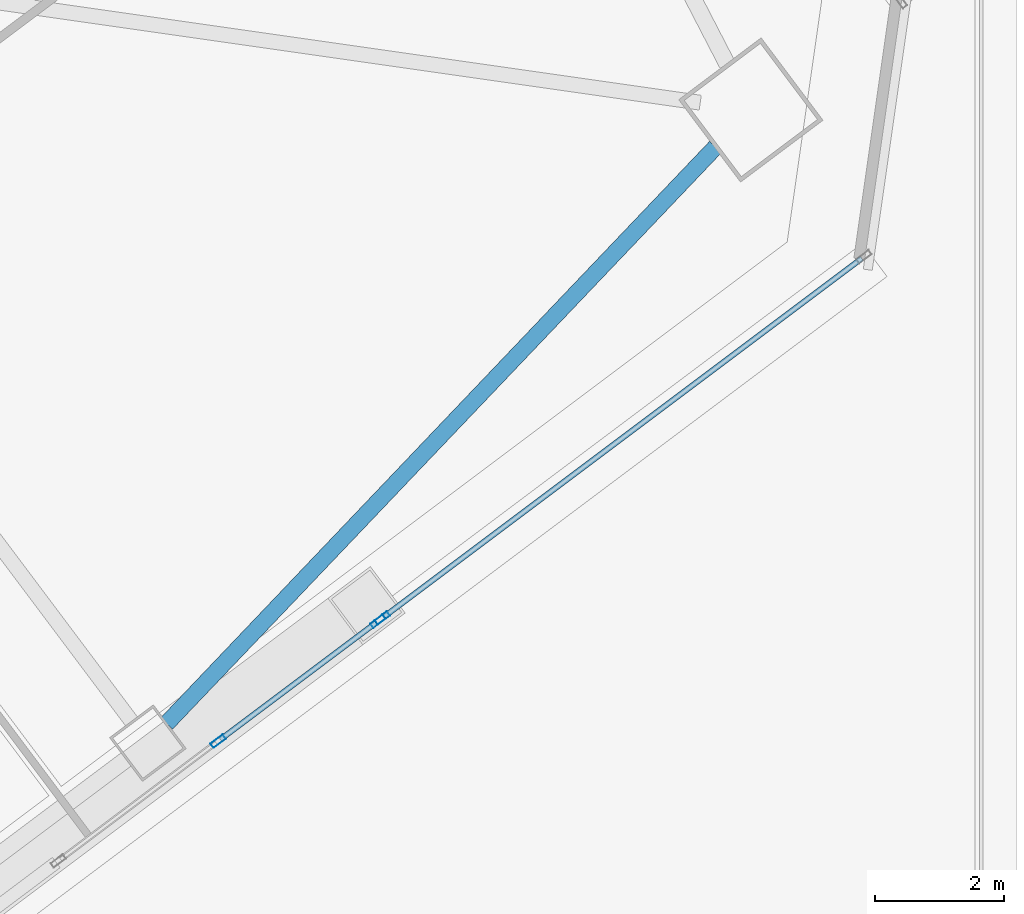
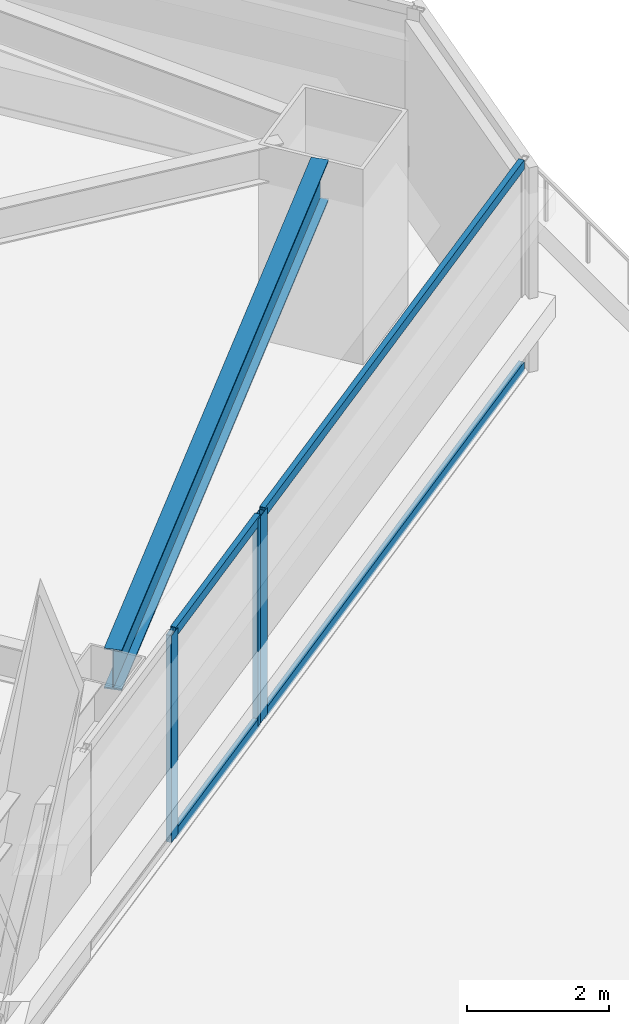
# One storey, part 60 of 83: 7 members, 1 beam, 2 elements without a shape of their own.
"""IFC4 building model written with IfcOpenShell, lengths in metres."""

from ifc_helpers import new_model, si_unit, direction, frame, origin, origin_2d, place, context, subcontext, project, spatial, hollow_rectangle, i_section, extrude, material, material_profile, profile_set, type_object, element, aggregate, save


model = new_model("IFC4")

# Units and contexts
model_context = context("Model", 3, precision=1e-05, world=origin(), true_north=direction((0.0, 1.0)))
body_context = subcontext(model_context, "Body", "Model", "MODEL_VIEW")
ifc_project = project(units=[si_unit("LENGTHUNIT", "METRE"), si_unit("AREAUNIT", "SQUARE_METRE"), si_unit("VOLUMEUNIT", "CUBIC_METRE"), si_unit("PLANEANGLEUNIT", "RADIAN"), si_unit("MASSUNIT", "GRAM", prefix="KILO")], contexts=[model_context])

# Site, building, storey
site_placement = place(None, origin())
site = spatial("IfcSite", under=ifc_project, at=site_placement, CompositionType="ELEMENT")
building_placement = place(site_placement, origin())
building = spatial("IfcBuilding", under=site, at=building_placement, Name="Tashvorn Skyway Center", CompositionType="ELEMENT")
storey_placement = place(building_placement, frame((0.0, 0.0, 24.60009765625)))
storey = spatial("IfcBuildingStorey", under=building, at=storey_placement, Name="L05", CompositionType="ELEMENT", Elevation=24.60009765625)

# Beam
ifc_material_1 = material(Name="Steel ASTM A992 Grade 50", Category="steel")
ifc_material_profile_1 = material_profile(ifc_material_1, i_section(OverallWidth=0.256103515625, OverallDepth=0.693115234375, WebThickness=0.014404296875, FlangeThickness=0.023681640625, at=origin_2d()), Name="W27X114")
ifc_profile_set_1 = profile_set([ifc_material_profile_1], Name="Steel ASTM A992 Grade 50")
beam_type = type_object("IfcBeamType", Name="BM-SPANDREL-W27X114", PredefinedType="SPANDREL", material=ifc_profile_set_1)
beam_placement = place(storey_placement, frame((131.23974609375, 18.7041015625, 3.00341796875), z_axis=(0.689589637236, 0.724200339835, 0.0), x_axis=(-0.724200339835, 0.689589637236, 0.0)))
element("IfcBeam", 1, at=beam_placement, inside=storey, type_object=beam_type, Name="Tower 2 L05 Spandrel Beam 03", PredefinedType="SPANDREL", context=body_context, shape_type="SweptSolid", body=[
    extrude(i_section(OverallWidth=0.256103515625, OverallDepth=0.693115234375, WebThickness=0.014404296875, FlangeThickness=0.023681640625, at=origin_2d()), origin(), (0.0, 0.0, 1.0), 12.37255859375),
])

# Curtain wall, member
ifc_material_2 = material(Name="Thermally broken bronze-anodized aluminium 6063-T6", Category="aluminium")
curtain_wall_type = type_object("IfcCurtainWallType", Name="CW-CW-Z1", PredefinedType="NOTDEFINED", material=ifc_material_2)
curtain_wall_1_placement = place(storey_placement, origin())
curtain_wall_1 = element("IfcCurtainWall", 2, at=curtain_wall_1_placement, inside=storey, type_object=curtain_wall_type, Name="Tower 2 L05 South Unitised Curtain Wall Glazing Group 1", PredefinedType="NOTDEFINED")
ifc_material_profile_2 = material_profile(ifc_material_2, hollow_rectangle(XDim=0.0849609375, YDim=0.239990234375, WallThickness=0.0048828125, at=origin_2d()), Name="ALU-MULL-85x240")
ifc_profile_set_2 = profile_set([ifc_material_profile_2], Name="Thermally broken bronze-anodized aluminium 6063-T6")
member_type_1 = type_object("IfcMemberType", Name="CWM-CW-Z1", PredefinedType="MULLION", material=ifc_profile_set_2)
member_1_placement = place(storey_placement, frame((134.593994140625, 20.345458984375, 0.0), z_axis=(0.0, 0.0, 1.0), x_axis=(0.600000000002, -0.799999999998, 0.0)))
member_1 = element("IfcMember", 3, at=member_1_placement, type_object=member_type_1, Name="CW-Z1 mullion 2", PredefinedType="MULLION", context=body_context, shape_type="SweptSolid", body=[
    extrude(hollow_rectangle(XDim=0.0849609375, YDim=0.239990234375, WallThickness=0.0048828125, at=origin_2d()), origin(), (0.0, 0.0, 1.0), 3.5498046875),
])

# Curtain wall, members
curtain_wall_2_placement = place(storey_placement, origin())
curtain_wall_2 = element("IfcCurtainWall", 4, at=curtain_wall_2_placement, inside=storey, type_object=curtain_wall_type, Name="Tower 2 L05 South Unitised Curtain Wall Glazing Group 2", PredefinedType="NOTDEFINED")
member_2_placement = place(storey_placement, frame((134.52587890625, 20.29443359375, 0.0), z_axis=(0.0, 0.0, 1.0), x_axis=(0.599997457641, -0.800001906763, 0.0)))
member_2 = element("IfcMember", 5, at=member_2_placement, type_object=member_type_1, Name="CW-Z1 mullion 1", PredefinedType="MULLION", context=body_context, shape_type="SweptSolid", body=[
    extrude(hollow_rectangle(XDim=0.0849609375, YDim=0.239990234375, WallThickness=0.0048828125, at=origin_2d()), origin(), (0.0, 0.0, 1.0), 3.5498046875),
])
member_3_placement = place(storey_placement, frame((132.042724609375, 18.431884765625, 0.0), z_axis=(0.0, 0.0, 1.0), x_axis=(0.599997457641, -0.800001906763, 0.0)))
member_3 = element("IfcMember", 6, at=member_3_placement, type_object=member_type_1, Name="CW-Z1 mullion 2", PredefinedType="MULLION", context=body_context, shape_type="SweptSolid", body=[
    extrude(hollow_rectangle(XDim=0.0849609375, YDim=0.239990234375, WallThickness=0.0048828125, at=origin_2d()), origin(), (0.0, 0.0, 1.0), 3.5498046875),
])

# Member
ifc_material_profile_3 = material_profile(ifc_material_2, hollow_rectangle(XDim=0.0849609375, YDim=0.1650390625, WallThickness=0.0048828125, at=origin_2d()), Name="ALU-TRAN-85x165")
ifc_profile_set_3 = profile_set([ifc_material_profile_3], Name="Thermally broken bronze-anodized aluminium 6063-T6")
member_type_2 = type_object("IfcMemberType", Name="CWT-CW-Z1", PredefinedType="USERDEFINED", material=ifc_profile_set_3)
member_4_placement = place(storey_placement, frame((142.0439453125, 25.93310546875, 0.04248046875), z_axis=(-0.8, -0.6, 0.0), x_axis=(0.6, -0.8, 0.0)))
member_4 = element("IfcMember", 7, at=member_4_placement, type_object=member_type_2, Name="CW-Z1 transom 1.1", ObjectType="TRANSOM", PredefinedType="USERDEFINED", context=body_context, shape_type="SweptSolid", body=[
    extrude(hollow_rectangle(XDim=0.0849609375, YDim=0.1650390625, WallThickness=0.0048828125, at=origin_2d()), origin(), (0.0, 0.0, 1.0), 9.27001953125),
])

member_5_placement = place(storey_placement, frame((142.0439453125, 25.93310546875, 3.50732421875), z_axis=(-0.8, -0.6, 0.0), x_axis=(0.6, -0.8, 0.0)))
member_5 = element("IfcMember", 8, at=member_5_placement, type_object=member_type_2, Name="CW-Z1 transom 1.2", ObjectType="TRANSOM", PredefinedType="USERDEFINED", context=body_context, shape_type="SweptSolid", body=[
    extrude(hollow_rectangle(XDim=0.0849609375, YDim=0.1650390625, WallThickness=0.0048828125, at=origin_2d()), origin(), (0.0, 0.0, 1.0), 9.27001953125),
])

aggregate(curtain_wall_1, [member_1, member_4, member_5])

member_6_placement = place(storey_placement, frame((134.491943359375, 20.26904296875, 0.04248046875), z_axis=(-0.799990296182, -0.600012938206, 0.0), x_axis=(0.600012938206, -0.799990296182, 0.0)))
member_6 = element("IfcMember", 9, at=member_6_placement, type_object=member_type_2, Name="CW-Z1 transom 1.1", ObjectType="TRANSOM", PredefinedType="USERDEFINED", context=body_context, shape_type="SweptSolid", body=[
    extrude(hollow_rectangle(XDim=0.0849609375, YDim=0.1650390625, WallThickness=0.0048828125, at=origin_2d()), origin(), (0.0, 0.0, 1.0), 3.01904296875),
])

member_7_placement = place(storey_placement, frame((134.491943359375, 20.26904296875, 3.50732421875), z_axis=(-0.799990296182, -0.600012938206, 0.0), x_axis=(0.600012938206, -0.799990296182, 0.0)))
member_7 = element("IfcMember", 10, at=member_7_placement, type_object=member_type_2, Name="CW-Z1 transom 1.2", ObjectType="TRANSOM", PredefinedType="USERDEFINED", context=body_context, shape_type="SweptSolid", body=[
    extrude(hollow_rectangle(XDim=0.0849609375, YDim=0.1650390625, WallThickness=0.0048828125, at=origin_2d()), origin(), (0.0, 0.0, 1.0), 3.01904296875),
])

aggregate(curtain_wall_2, [member_2, member_3, member_6, member_7])

save(model, "model.ifc")
